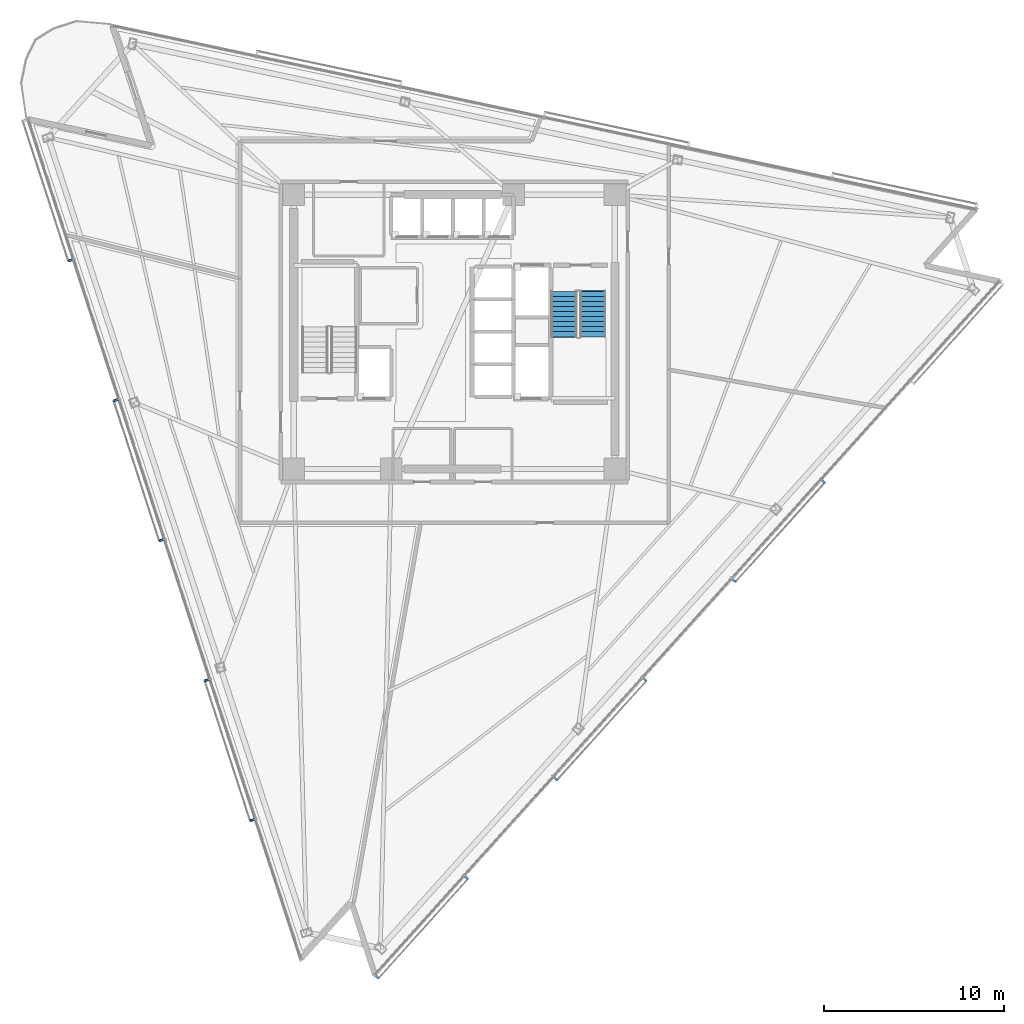
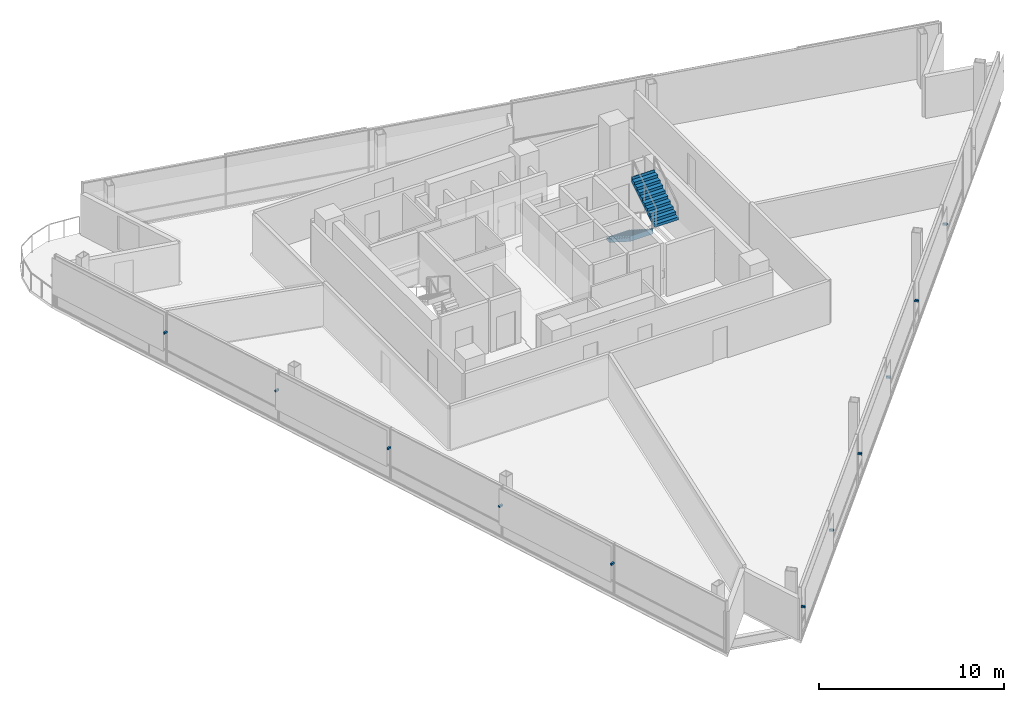
# One storey, part 12 of 16: 11 discrete accessories, 2 stair flights, 1 element without a shape of its own.
"""IFC4 building model written with IfcOpenShell, lengths in metres."""

from ifc_helpers import new_model, si_unit, direction, frame, origin, origin_2d, place, context, subcontext, project, spatial, polyline, rectangle, outline, extrude, material, type_object, element, aggregate, save


model = new_model("IFC4")

# Units and contexts
model_context = context("Model", 3, precision=1e-05, world=origin(), true_north=direction((0.0, 1.0)))
body_context = subcontext(model_context, "Body", "Model", "MODEL_VIEW")
ifc_project = project(units=[si_unit("LENGTHUNIT", "METRE"), si_unit("AREAUNIT", "SQUARE_METRE"), si_unit("VOLUMEUNIT", "CUBIC_METRE"), si_unit("PLANEANGLEUNIT", "RADIAN"), si_unit("MASSUNIT", "GRAM", prefix="KILO")], contexts=[model_context])

# Site, building, storey
site_placement = place(None, origin())
site = spatial("IfcSite", under=ifc_project, at=site_placement, CompositionType="ELEMENT")
building_placement = place(site_placement, origin())
building = spatial("IfcBuilding", under=site, at=building_placement, Name="Tharavind Bronze Gate", CompositionType="ELEMENT")
storey_placement = place(building_placement, frame((0.0, 0.0, 211.25)))
storey = spatial("IfcBuildingStorey", under=building, at=storey_placement, Name="L54", CompositionType="ELEMENT", Elevation=211.25)

# Stair, stair flights
ifc_material_1 = material(Name="Concrete C40/50", Category="concrete")
stair_type = type_object("IfcStairType", Name="CORE HALF TURN STAIR 1450", PredefinedType="HALF_TURN_STAIR", material=ifc_material_1)
stair_placement = place(storey_placement, origin())
stair = element("IfcStair", 1, at=stair_placement, inside=storey, type_object=stair_type, Name="L54 Protected Exit Stair ST2", PredefinedType="HALF_TURN_STAIR")
stair_flight_type = type_object("IfcStairFlightType", Name="CORE STAIR FLIGHT 1450", PredefinedType="STRAIGHT", material=ifc_material_1)
stair_flight_1_placement = place(storey_placement, frame((6.074951171875, 2.25, 0.0), z_axis=(0.0, 0.0, 1.0), x_axis=(0.0, -1.0, 0.0)))
stair_flight_1 = element("IfcStairFlight", 2, at=stair_flight_1_placement, type_object=stair_flight_type, Name="ST2 flight 1", NumberOfRisers=10, NumberOfTreads=9, PredefinedType="STRAIGHT", RiserHeight=0.18, TreadLength=0.28, context=body_context, shape_type="SweptSolid", body=[
    extrude(outline(polyline([(0.0, 0.0), (0.0, 0.179931640625), (0.280029296875, 0.179931640625), (0.280029296875, 0.360107421875), (0.56005859375, 0.360107421875), (0.56005859375, 0.5400390625), (0.840087890625, 0.5400390625), (0.840087890625, 0.719970703125), (1.1201171875, 0.719970703125), (1.1201171875, 0.89990234375), (1.39990234375, 0.89990234375), (1.39990234375, 1.080078125), (1.679931640625, 1.080078125), (1.679931640625, 1.260009765625), (1.9599609375, 1.260009765625), (1.9599609375, 1.43994140625), (2.239990234375, 1.43994140625), (2.239990234375, 1.6201171875), (2.52001953125, 1.6201171875), (2.52001953125, 1.800048828125), (2.555908203125, 1.800048828125), (2.555908203125, 1.44189453125), (0.277099609375, 0.0), (0.0, 0.0)])), frame((0.0, 0.72509765625, 0.0), z_axis=(0.0, -1.0, 0.0), x_axis=(1.0, 0.0, 0.0)), (0.0, 0.0, 1.0), 1.449951171875),
])
stair_flight_2_placement = place(storey_placement, frame((7.675048828125, -0.27001953125, 1.800048828125), z_axis=(0.0, 0.0, 1.0), x_axis=(0.0, 1.0, 0.0)))
stair_flight_2 = element("IfcStairFlight", 3, at=stair_flight_2_placement, type_object=stair_flight_type, Name="ST2 flight 2", NumberOfRisers=10, NumberOfTreads=9, PredefinedType="STRAIGHT", RiserHeight=0.18, TreadLength=0.28, context=body_context, shape_type="SweptSolid", body=[
    extrude(outline(polyline([(0.0, 0.0), (0.0, 0.179931640625), (0.280029296875, 0.179931640625), (0.280029296875, 0.360107421875), (0.56005859375, 0.360107421875), (0.56005859375, 0.5400390625), (0.840087890625, 0.5400390625), (0.840087890625, 0.719970703125), (1.1201171875, 0.719970703125), (1.1201171875, 0.89990234375), (1.39990234375, 0.89990234375), (1.39990234375, 1.080078125), (1.679931640625, 1.080078125), (1.679931640625, 1.260009765625), (1.9599609375, 1.260009765625), (1.9599609375, 1.43994140625), (2.239990234375, 1.43994140625), (2.239990234375, 1.6201171875), (2.52001953125, 1.6201171875), (2.52001953125, 1.800048828125), (2.555908203125, 1.800048828125), (2.555908203125, 1.44189453125), (0.277099609375, 0.0), (0.0, 0.0)])), frame((0.0, 0.72509765625, 0.0), z_axis=(0.0, -1.0, 0.0), x_axis=(1.0, 0.0, 0.0)), (0.0, 0.0, 1.0), 1.449951171875),
])
aggregate(stair, [stair_flight_1, stair_flight_2])

# Discrete accessories
ifc_material_2 = material(Name="Stainless Steel 316", Category="steel")
discrete_accessory_type = type_object("IfcDiscreteAccessoryType", Name="SOLAR SCREEN STANDOFF BRACKET", PredefinedType="BRACKET", material=ifc_material_2)
for number, where, z_axis, x_axis, name in (
    (4, (-21.281005859375, 3.96826171875, 2.099853515625), (0.0, 0.0, 1.0), (0.309016994375, -0.951056516295, 0.0), "CW-L54-S1 solar screen bracket 1.2"),
    (5, (-18.760986328125, -3.7880859375, 2.099853515625), (0.0, 0.0, 1.0), (0.309016994375, -0.951056516295, 0.0), "CW-L54-S1 solar screen bracket 3.1"),
    (6, (-16.240478515625, -11.544677734375, 2.099853515625), (0.0, 0.0, 1.0), (0.309016994375, -0.951056516295, 0.0), "CW-L54-S1 solar screen bracket 3.2"),
    (7, (-13.720458984375, -19.30126953125, 2.099853515625), (0.0, 0.0, 1.0), (0.309016994375, -0.951056516295, 0.0), "CW-L54-S1 solar screen bracket 5.1"),
    (8, (-11.2001953125, -27.057861328125, 2.099853515625), (0.0, 0.0, 1.0), (0.309016994375, -0.951056516295, 0.0), "CW-L54-S1 solar screen bracket 5.2"),
    (9, (-4.2783203125, -35.75, 2.099853515625), (0.0, 0.0, 1.0), (0.669130606359, 0.743144825477, 0.0), "CW-L54-S2 solar screen bracket 1.1"),
    (10, (0.666015625, -30.258544921875, 2.099853515625), (0.0, 0.0, 1.0), (0.669130606359, 0.743144825477, 0.0), "CW-L54-S2 solar screen bracket 1.2"),
    (11, (5.610595703125, -24.76708984375, 2.099853515625), (0.0, 0.0, 1.0), (0.669130606359, 0.743144825477, 0.0), "CW-L54-S2 solar screen bracket 3.1"),
    (12, (10.55517578125, -19.275634765625, 2.099853515625), (0.0, 0.0, 1.0), (0.669130606359, 0.743144825477, 0.0), "CW-L54-S2 solar screen bracket 3.2"),
    (13, (15.49951171875, -13.7841796875, 2.099853515625), (0.0, 0.0, 1.0), (0.669130606359, 0.743144825477, 0.0), "CW-L54-S2 solar screen bracket 5.1"),
    (14, (20.444091796875, -8.292724609375, 2.099853515625), (0.0, 0.0, 1.0), (0.669130606359, 0.743144825477, 0.0), "CW-L54-S2 solar screen bracket 5.2"),
):
    element("IfcDiscreteAccessory", number, at=place(storey_placement, frame(where, z_axis=z_axis, x_axis=x_axis)), inside=storey, type_object=discrete_accessory_type, Name=name, PredefinedType="BRACKET", context=body_context, shape_type="SweptSolid", body=[
        extrude(rectangle(XDim=0.1201171875, YDim=0.239990234375, at=origin_2d()), origin(), (0.0, 0.0, 1.0), 0.1201171875),
    ])

save(model, "model.ifc")
